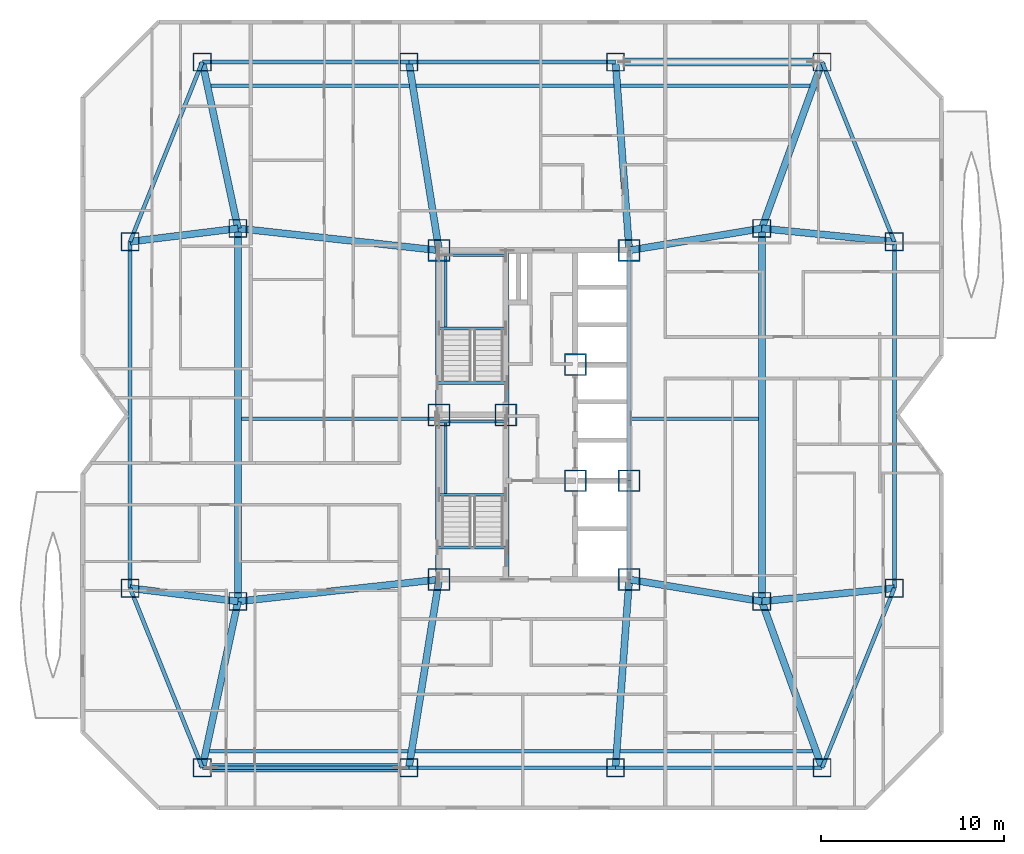
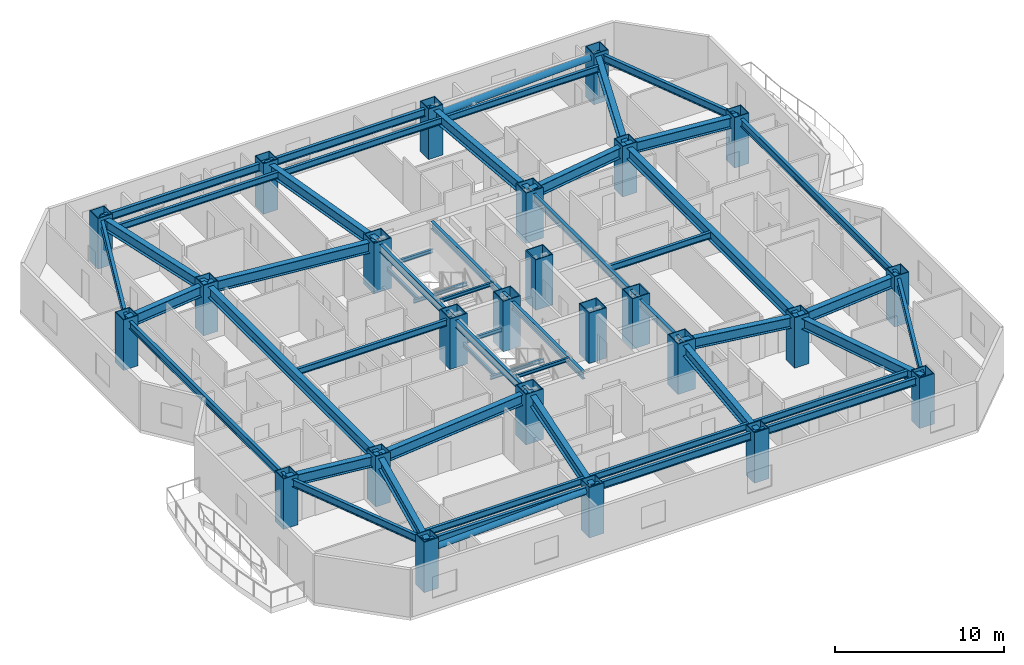
# One storey, part 1 of 15: 51 beams, 25 columns, 2 members.
"""IFC4 building model written with IfcOpenShell, lengths in metres."""

from ifc_helpers import new_model, si_unit, direction, frame, origin, origin_2d, place, context, subcontext, project, spatial, hollow_rectangle, hollow_circle, i_section, extrude, material, material_profile, profile_set, type_object, element, save


model = new_model("IFC4")

# Units and contexts
model_context = context("Model", 3, precision=1e-05, world=origin(), true_north=direction((0.0, 1.0)))
body_context = subcontext(model_context, "Body", "Model", "MODEL_VIEW")
ifc_project = project(units=[si_unit("LENGTHUNIT", "METRE"), si_unit("AREAUNIT", "SQUARE_METRE"), si_unit("VOLUMEUNIT", "CUBIC_METRE"), si_unit("PLANEANGLEUNIT", "RADIAN"), si_unit("MASSUNIT", "GRAM", prefix="KILO")], contexts=[model_context])

# Site, building, storey
site_placement = place(None, origin())
site = spatial("IfcSite", under=ifc_project, at=site_placement, CompositionType="ELEMENT")
building_placement = place(site_placement, origin())
building = spatial("IfcBuilding", under=site, at=building_placement, Name="Khamvora Tower", CompositionType="ELEMENT")
storey_placement = place(building_placement, frame((0.0, 0.0, 112.85009765625)))
storey = spatial("IfcBuildingStorey", under=building, at=storey_placement, Name="L28", CompositionType="ELEMENT", Elevation=112.85009765625)

# Columns
ifc_material_1 = material(Name="Steel S355", Category="steel")
ifc_material_profile_1 = material_profile(ifc_material_1, hollow_rectangle(XDim=1.0, YDim=1.0, WallThickness=0.050048828125, at=origin_2d()), Name="BOX1000x1000x50")
ifc_profile_set_1 = profile_set([ifc_material_profile_1], Name="Steel S355")
column_type_1 = type_object("IfcColumnType", Name="COL-BOX1000", PredefinedType="COLUMN", material=ifc_profile_set_1)
for number, where, z_axis, x_axis, name in (
    (1, (16.050048828125, 8.699951171875, 0.0), (0.0, 0.0, 1.0), (1.0, 0.0, 0.0), "L28 structural frame column S1"),
    (2, (27.35009765625, 8.699951171875, 0.0), (0.0, 0.0, 1.0), (1.0, 0.0, 0.0), "L28 structural frame column S2"),
    (3, (38.64990234375, 8.699951171875, 0.0), (0.0, 0.0, 1.0), (1.0, 0.0, 0.0), "L28 structural frame column S3"),
    (4, (49.949951171875, 8.699951171875, 0.0), (0.0, 0.0, 1.0), (1.0, 0.0, 0.0), "L28 structural frame column S4"),
    (5, (16.050048828125, 47.300048828125, 0.0), (0.0, 0.0, 1.0), (1.0, 0.0, 0.0), "L28 structural frame column N1"),
    (6, (27.35009765625, 47.300048828125, 0.0), (0.0, 0.0, 1.0), (1.0, 0.0, 0.0), "L28 structural frame column N2"),
    (7, (38.64990234375, 47.300048828125, 0.0), (0.0, 0.0, 1.0), (1.0, 0.0, 0.0), "L28 structural frame column N3"),
    (8, (49.949951171875, 47.300048828125, 0.0), (0.0, 0.0, 1.0), (1.0, 0.0, 0.0), "L28 structural frame column N4"),
    (9, (12.10009765625, 18.52490234375, 0.0), (0.0, 0.0, 1.0), (1.0, 0.0, 0.0), "L28 structural frame column W1"),
    (10, (12.10009765625, 37.47509765625, 0.0), (0.0, 0.0, 1.0), (1.0, 0.0, 0.0), "L28 structural frame column W2"),
    (11, (53.89990234375, 18.52490234375, 0.0), (0.0, 0.0, 1.0), (1.0, 0.0, 0.0), "L28 structural frame column E1"),
    (12, (53.89990234375, 37.47509765625, 0.0), (0.0, 0.0, 1.0), (1.0, 0.0, 0.0), "L28 structural frame column E2"),
    (13, (18.0, 17.800048828125, 0.0), (0.0, 0.0, 1.0), (1.0, 0.0, 0.0), "L28 structural frame column MW1"),
    (14, (18.0, 38.199951171875, 0.0), (0.0, 0.0, 1.0), (1.0, 0.0, 0.0), "L28 structural frame column MW2"),
    (15, (46.64990234375, 17.800048828125, 0.0), (0.0, 0.0, 1.0), (1.0, 0.0, 0.0), "L28 structural frame column M1"),
    (16, (46.64990234375, 38.199951171875, 0.0), (0.0, 0.0, 1.0), (1.0, 0.0, 0.0), "L28 structural frame column M2"),
):
    element("IfcColumn", number, at=place(storey_placement, frame(where, z_axis=z_axis, x_axis=x_axis)), inside=storey, type_object=column_type_1, Name=name, PredefinedType="COLUMN", context=body_context, shape_type="SweptSolid", body=[
        extrude(hollow_rectangle(XDim=1.0, YDim=1.0, WallThickness=0.050048828125, at=origin_2d()), origin(), (0.0, 0.0, 1.0), 3.64990234375),
    ])
ifc_material_2 = material(Name="Steel S460", Category="steel")
ifc_material_profile_2 = material_profile(ifc_material_2, hollow_rectangle(XDim=1.199951171875, YDim=1.199951171875, WallThickness=0.06005859375, at=origin_2d()), Name="BOX1200x1200x60")
ifc_profile_set_2 = profile_set([ifc_material_profile_2], Name="Steel S460")
column_type_2 = type_object("IfcColumnType", Name="COL-BOX1200", PredefinedType="COLUMN", material=ifc_profile_set_2)
for number, where, z_axis, x_axis, name in (
    (17, (29.0, 19.0, 0.0), (0.0, 0.0, 1.0), (1.0, 0.0, 0.0), "L28 plumb core spine column SC1"),
    (18, (32.64990234375, 28.0, 0.0), (0.0, 0.0, 1.0), (1.0, 0.0, 0.0), "L28 plumb core spine column SC2"),
    (19, (39.39990234375, 19.0, 0.0), (0.0, 0.0, 1.0), (1.0, 0.0, 0.0), "L28 plumb core spine column SC3"),
    (20, (29.0, 28.0, 0.0), (0.0, 0.0, 1.0), (1.0, 0.0, 0.0), "L28 plumb core spine column SC4"),
    (21, (36.449951171875, 24.39990234375, 0.0), (0.0, 0.0, 1.0), (1.0, 0.0, 0.0), "L28 plumb core spine column SC5"),
    (22, (39.39990234375, 24.39990234375, 0.0), (0.0, 0.0, 1.0), (1.0, 0.0, 0.0), "L28 plumb core spine column SC6"),
    (23, (29.0, 37.0, 0.0), (0.0, 0.0, 1.0), (1.0, 0.0, 0.0), "L28 plumb core spine column SC7"),
    (24, (36.449951171875, 30.75, 0.0), (0.0, 0.0, 1.0), (1.0, 0.0, 0.0), "L28 plumb core spine column SC8"),
    (25, (39.39990234375, 37.0, 0.0), (0.0, 0.0, 1.0), (1.0, 0.0, 0.0), "L28 plumb core spine column SC9"),
):
    element("IfcColumn", number, at=place(storey_placement, frame(where, z_axis=z_axis, x_axis=x_axis)), inside=storey, type_object=column_type_2, Name=name, PredefinedType="COLUMN", context=body_context, shape_type="SweptSolid", body=[
        extrude(hollow_rectangle(XDim=1.199951171875, YDim=1.199951171875, WallThickness=0.06005859375, at=origin_2d()), origin(), (0.0, 0.0, 1.0), 3.64990234375),
    ])

# Beams
ifc_material_profile_3 = material_profile(ifc_material_1, i_section(OverallWidth=0.19189453125, OverallDepth=0.462890625, WebThickness=0.010986328125, FlangeThickness=0.01806640625, FilletRadius=0.011962890625, at=origin_2d()), Name="W460x89")
ifc_profile_set_3 = profile_set([ifc_material_profile_3], Name="Steel S355")
beam_type_1 = type_object("IfcBeamType", Name="BM-JS-W460x89", PredefinedType="JOIST", material=ifc_profile_set_3)
beam_1_placement = place(storey_placement, frame((16.43310546875, 9.60009765625, 3.198974609375), z_axis=(1.0, 0.0, 0.0), x_axis=(0.0, 1.0, 0.0)))
element("IfcBeam", 26, at=beam_1_placement, inside=storey, type_object=beam_type_1, Name="L28 secondary floor joist 01", PredefinedType="JOIST", context=body_context, shape_type="SweptSolid", body=[
    extrude(i_section(OverallWidth=0.19189453125, OverallDepth=0.462890625, WebThickness=0.010986328125, FlangeThickness=0.01806640625, FilletRadius=0.011962890625, at=origin_2d()), origin(), (0.0, 0.0, 1.0), 10.872802734375),
])
beam_2_placement = place(storey_placement, frame((27.681884765625, 9.60009765625, 3.198974609375), z_axis=(1.0, 0.0, 0.0), x_axis=(0.0, 1.0, 0.0)))
element("IfcBeam", 27, at=beam_2_placement, inside=storey, type_object=beam_type_1, Name="L28 secondary floor joist 02", PredefinedType="JOIST", context=body_context, shape_type="SweptSolid", body=[
    extrude(i_section(OverallWidth=0.19189453125, OverallDepth=0.462890625, WebThickness=0.010986328125, FlangeThickness=0.01806640625, FilletRadius=0.011962890625, at=origin_2d()), origin(), (0.0, 0.0, 1.0), 10.84814453125),
])
beam_3_placement = place(storey_placement, frame((38.902099609375, 9.60009765625, 3.198974609375), z_axis=(1.0, 0.0, 0.0), x_axis=(0.0, 1.0, 0.0)))
element("IfcBeam", 28, at=beam_3_placement, inside=storey, type_object=beam_type_1, Name="L28 secondary floor joist 03", PredefinedType="JOIST", context=body_context, shape_type="SweptSolid", body=[
    extrude(i_section(OverallWidth=0.19189453125, OverallDepth=0.462890625, WebThickness=0.010986328125, FlangeThickness=0.01806640625, FilletRadius=0.011962890625, at=origin_2d()), origin(), (0.0, 0.0, 1.0), 10.52392578125),
])
beam_4_placement = place(storey_placement, frame((18.18603515625, 27.800048828125, 3.198974609375), z_axis=(1.0, 0.0, 0.0), x_axis=(0.0, 1.0, 0.0)))
element("IfcBeam", 29, at=beam_4_placement, inside=storey, type_object=beam_type_1, Name="L28 secondary floor joist 04", PredefinedType="JOIST", context=body_context, shape_type="SweptSolid", body=[
    extrude(i_section(OverallWidth=0.19189453125, OverallDepth=0.462890625, WebThickness=0.010986328125, FlangeThickness=0.01806640625, FilletRadius=0.011962890625, at=origin_2d()), origin(), (0.0, 0.0, 1.0), 10.614013671875),
])
beam_5_placement = place(storey_placement, frame((39.4990234375, 27.800048828125, 3.198974609375), z_axis=(1.0, 0.0, 0.0), x_axis=(0.0, 1.0, 0.0)))
element("IfcBeam", 30, at=beam_5_placement, inside=storey, type_object=beam_type_1, Name="L28 secondary floor joist 05", PredefinedType="JOIST", context=body_context, shape_type="SweptSolid", body=[
    extrude(i_section(OverallWidth=0.19189453125, OverallDepth=0.462890625, WebThickness=0.010986328125, FlangeThickness=0.01806640625, FilletRadius=0.011962890625, at=origin_2d()), origin(), (0.0, 0.0, 1.0), 6.966064453125),
])
beam_6_placement = place(storey_placement, frame((16.51806640625, 46.0, 3.198974609375), z_axis=(1.0, 0.0, 0.0), x_axis=(0.0, 1.0, 0.0)))
element("IfcBeam", 31, at=beam_6_placement, inside=storey, type_object=beam_type_1, Name="L28 secondary floor joist 06", PredefinedType="JOIST", context=body_context, shape_type="SweptSolid", body=[
    extrude(i_section(OverallWidth=0.19189453125, OverallDepth=0.462890625, WebThickness=0.010986328125, FlangeThickness=0.01806640625, FilletRadius=0.011962890625, at=origin_2d()), origin(), (0.0, 0.0, 1.0), 10.85205078125),
])
beam_7_placement = place(storey_placement, frame((27.74609375, 46.0, 3.198974609375), z_axis=(1.0, 0.0, 0.0), x_axis=(0.0, 1.0, 0.0)))
element("IfcBeam", 32, at=beam_7_placement, inside=storey, type_object=beam_type_1, Name="L28 secondary floor joist 07", PredefinedType="JOIST", context=body_context, shape_type="SweptSolid", body=[
    extrude(i_section(OverallWidth=0.19189453125, OverallDepth=0.462890625, WebThickness=0.010986328125, FlangeThickness=0.01806640625, FilletRadius=0.011962890625, at=origin_2d()), origin(), (0.0, 0.0, 1.0), 10.81298828125),
])
beam_8_placement = place(storey_placement, frame((38.930908203125, 46.0, 3.198974609375), z_axis=(1.0, 0.0, 0.0), x_axis=(0.0, 1.0, 0.0)))
element("IfcBeam", 33, at=beam_8_placement, inside=storey, type_object=beam_type_1, Name="L28 secondary floor joist 08", PredefinedType="JOIST", context=body_context, shape_type="SweptSolid", body=[
    extrude(i_section(OverallWidth=0.19189453125, OverallDepth=0.462890625, WebThickness=0.010986328125, FlangeThickness=0.01806640625, FilletRadius=0.011962890625, at=origin_2d()), origin(), (0.0, 0.0, 1.0), 10.35009765625),
])
ifc_material_profile_4 = material_profile(ifc_material_1, i_section(OverallWidth=0.14697265625, OverallDepth=0.261962890625, WebThickness=0.007080078125, FlangeThickness=0.010986328125, FilletRadius=0.008056640625, at=origin_2d()), Name="W250x39")
ifc_profile_set_4 = profile_set([ifc_material_profile_4], Name="Steel S355")
beam_type_2 = type_object("IfcBeamType", Name="BM-LN-W250x39", PredefinedType="LINTEL", material=ifc_profile_set_4)
for number, where, z_axis, x_axis, name in (
    (34, (29.0, 23.635009765625, 1.493896484375), (1.0, 0.0, 0.0), (0.0, 1.0, 0.0), "L28 ST-01 half-landing support beam 1.1"),
    (35, (29.0, 27.6298828125, 1.493896484375), (1.0, 0.0, 0.0), (0.0, 1.0, 0.0), "L28 ST-01 half-landing support beam 1.2"),
):
    element("IfcBeam", number, at=place(storey_placement, frame(where, z_axis=z_axis, x_axis=x_axis)), inside=storey, type_object=beam_type_2, Name=name, PredefinedType="LINTEL", context=body_context, shape_type="SweptSolid", body=[
        extrude(i_section(OverallWidth=0.14697265625, OverallDepth=0.261962890625, WebThickness=0.007080078125, FlangeThickness=0.010986328125, FilletRadius=0.008056640625, at=origin_2d()), origin(), (0.0, 0.0, 1.0), 3.64990234375),
    ])
beam_9_placement = place(storey_placement, frame((29.35009765625, 23.635009765625, 1.493896484375), z_axis=(0.0, 1.0, 0.0), x_axis=(-1.0, 0.0, 0.0)))
element("IfcBeam", 36, at=beam_9_placement, inside=storey, type_object=beam_type_2, Name="L28 ST-01 half-landing edge stringer 1", PredefinedType="LINTEL", context=body_context, shape_type="SweptSolid", body=[
    extrude(i_section(OverallWidth=0.14697265625, OverallDepth=0.261962890625, WebThickness=0.007080078125, FlangeThickness=0.010986328125, FilletRadius=0.008056640625, at=origin_2d()), origin(), (0.0, 0.0, 1.0), 3.994873046875),
])
for number, where, z_axis, x_axis, name in (
    (37, (29.0, 32.735107421875, 1.493896484375), (1.0, 0.0, 0.0), (0.0, 1.0, 0.0), "L28 ST-02 half-landing support beam 1.1"),
    (38, (29.0, 36.72998046875, 1.493896484375), (1.0, 0.0, 0.0), (0.0, 1.0, 0.0), "L28 ST-02 half-landing support beam 1.2"),
):
    element("IfcBeam", number, at=place(storey_placement, frame(where, z_axis=z_axis, x_axis=x_axis)), inside=storey, type_object=beam_type_2, Name=name, PredefinedType="LINTEL", context=body_context, shape_type="SweptSolid", body=[
        extrude(i_section(OverallWidth=0.14697265625, OverallDepth=0.261962890625, WebThickness=0.007080078125, FlangeThickness=0.010986328125, FilletRadius=0.008056640625, at=origin_2d()), origin(), (0.0, 0.0, 1.0), 3.64990234375),
    ])
beam_10_placement = place(storey_placement, frame((29.35009765625, 32.735107421875, 1.493896484375), z_axis=(0.0, 1.0, 0.0), x_axis=(-1.0, 0.0, 0.0)))
element("IfcBeam", 39, at=beam_10_placement, inside=storey, type_object=beam_type_2, Name="L28 ST-02 half-landing edge stringer 1", PredefinedType="LINTEL", context=body_context, shape_type="SweptSolid", body=[
    extrude(i_section(OverallWidth=0.14697265625, OverallDepth=0.261962890625, WebThickness=0.007080078125, FlangeThickness=0.010986328125, FilletRadius=0.008056640625, at=origin_2d()), origin(), (0.0, 0.0, 1.0), 3.994873046875),
])
for number, where, z_axis, x_axis, name in (
    (40, (28.89990234375, 20.75, 3.303955078125), (1.0, 0.0, 0.0), (0.0, 1.0, 0.0), "L28 exit stair ST-01 landing trimmer beam"),
    (41, (28.89990234375, 29.75, 3.303955078125), (1.0, 0.0, 0.0), (0.0, 1.0, 0.0), "L28 exit stair ST-02 landing trimmer beam"),
):
    element("IfcBeam", number, at=place(storey_placement, frame(where, z_axis=z_axis, x_axis=x_axis)), inside=storey, type_object=beam_type_2, Name=name, PredefinedType="LINTEL", context=body_context, shape_type="SweptSolid", body=[
        extrude(i_section(OverallWidth=0.14697265625, OverallDepth=0.261962890625, WebThickness=0.007080078125, FlangeThickness=0.010986328125, FilletRadius=0.008056640625, at=origin_2d()), origin(), (0.0, 0.0, 1.0), 3.830078125),
    ])
ifc_material_profile_5 = material_profile(ifc_material_1, i_section(OverallWidth=0.381103515625, OverallDepth=0.77294921875, WebThickness=0.01708984375, FlangeThickness=0.027099609375, FilletRadius=0.01806640625, at=origin_2d()), Name="W760x257")
ifc_profile_set_5 = profile_set([ifc_material_profile_5], Name="Steel S355")
beam_type_3 = type_object("IfcBeamType", Name="BM-PG-W760x257", PredefinedType="BEAM", material=ifc_profile_set_5)
for number, where, z_axis, x_axis, name in (
    (42, (46.64990234375, 17.800048828125, 3.0439453125), (0.0, 1.0, 0.0), (-1.0, 0.0, 0.0), "L28 longitudinal frame girder M1-M2"),
    (43, (18.0, 17.800048828125, 3.0439453125), (0.0, 1.0, 0.0), (-1.0, 0.0, 0.0), "L28 longitudinal frame girder MW1-MW2"),
):
    element("IfcBeam", number, at=place(storey_placement, frame(where, z_axis=z_axis, x_axis=x_axis)), inside=storey, type_object=beam_type_3, Name=name, PredefinedType="BEAM", context=body_context, shape_type="SweptSolid", body=[
        extrude(i_section(OverallWidth=0.381103515625, OverallDepth=0.77294921875, WebThickness=0.01708984375, FlangeThickness=0.027099609375, FilletRadius=0.01806640625, at=origin_2d()), origin(), (0.0, 0.0, 1.0), 20.39990234375),
    ])
beam_11_placement = place(storey_placement, frame((18.0, 17.800048828125, 3.0439453125), z_axis=(-0.209521922673, -0.977803949634, 0.0), x_axis=(0.977803949634, -0.209521922673, 0.0)))
element("IfcBeam", 44, at=beam_11_placement, inside=storey, type_object=beam_type_3, Name="L28 primary floor girder S1", PredefinedType="BEAM", context=body_context, shape_type="SweptSolid", body=[
    extrude(i_section(OverallWidth=0.381103515625, OverallDepth=0.77294921875, WebThickness=0.01708984375, FlangeThickness=0.027099609375, FilletRadius=0.01806640625, at=origin_2d()), origin(), (0.0, 0.0, 1.0), 9.306640625),
])
beam_12_placement = place(storey_placement, frame((29.0, 19.0, 3.0439453125), z_axis=(-0.158167584066, -0.987412282358, 0.0), x_axis=(0.987412282358, -0.158167584066, 0.0)))
element("IfcBeam", 45, at=beam_12_placement, inside=storey, type_object=beam_type_3, Name="L28 primary floor girder S2", PredefinedType="BEAM", context=body_context, shape_type="SweptSolid", body=[
    extrude(i_section(OverallWidth=0.381103515625, OverallDepth=0.77294921875, WebThickness=0.01708984375, FlangeThickness=0.027099609375, FilletRadius=0.01806640625, at=origin_2d()), origin(), (0.0, 0.0, 1.0), 10.431396484375),
])
beam_13_placement = place(storey_placement, frame((39.39990234375, 19.0, 3.0439453125), z_axis=(-0.07262291808, -0.997359469685, 0.0), x_axis=(0.997359469685, -0.07262291808, 0.0)))
element("IfcBeam", 46, at=beam_13_placement, inside=storey, type_object=beam_type_3, Name="L28 primary floor girder S3", PredefinedType="BEAM", context=body_context, shape_type="SweptSolid", body=[
    extrude(i_section(OverallWidth=0.381103515625, OverallDepth=0.77294921875, WebThickness=0.01708984375, FlangeThickness=0.027099609375, FilletRadius=0.01806640625, at=origin_2d()), origin(), (0.0, 0.0, 1.0), 10.327392578125),
])
beam_14_placement = place(storey_placement, frame((46.64990234375, 17.800048828125, 3.0439453125), z_axis=(0.340914681567, -0.940094239899, 0.0), x_axis=(0.940094239899, 0.340914681567, 0.0)))
element("IfcBeam", 47, at=beam_14_placement, inside=storey, type_object=beam_type_3, Name="L28 primary floor girder S4", PredefinedType="BEAM", context=body_context, shape_type="SweptSolid", body=[
    extrude(i_section(OverallWidth=0.381103515625, OverallDepth=0.77294921875, WebThickness=0.01708984375, FlangeThickness=0.027099609375, FilletRadius=0.01806640625, at=origin_2d()), origin(), (0.0, 0.0, 1.0), 9.679931640625),
])
beam_15_placement = place(storey_placement, frame((18.0, 38.199951171875, 3.0439453125), z_axis=(-0.209521922673, 0.977803949634, 0.0), x_axis=(-0.977803949634, -0.209521922673, 0.0)))
element("IfcBeam", 48, at=beam_15_placement, inside=storey, type_object=beam_type_3, Name="L28 primary floor girder N1", PredefinedType="BEAM", context=body_context, shape_type="SweptSolid", body=[
    extrude(i_section(OverallWidth=0.381103515625, OverallDepth=0.77294921875, WebThickness=0.01708984375, FlangeThickness=0.027099609375, FilletRadius=0.01806640625, at=origin_2d()), origin(), (0.0, 0.0, 1.0), 9.306640625),
])
beam_16_placement = place(storey_placement, frame((29.0, 37.0, 3.0439453125), z_axis=(-0.158167584066, 0.987412282358, 0.0), x_axis=(-0.987412282358, -0.158167584066, 0.0)))
element("IfcBeam", 49, at=beam_16_placement, inside=storey, type_object=beam_type_3, Name="L28 primary floor girder N2", PredefinedType="BEAM", context=body_context, shape_type="SweptSolid", body=[
    extrude(i_section(OverallWidth=0.381103515625, OverallDepth=0.77294921875, WebThickness=0.01708984375, FlangeThickness=0.027099609375, FilletRadius=0.01806640625, at=origin_2d()), origin(), (0.0, 0.0, 1.0), 10.431396484375),
])
beam_17_placement = place(storey_placement, frame((39.39990234375, 37.0, 3.0439453125), z_axis=(-0.07262291808, 0.997359469685, 0.0), x_axis=(-0.997359469685, -0.07262291808, 0.0)))
element("IfcBeam", 50, at=beam_17_placement, inside=storey, type_object=beam_type_3, Name="L28 primary floor girder N3", PredefinedType="BEAM", context=body_context, shape_type="SweptSolid", body=[
    extrude(i_section(OverallWidth=0.381103515625, OverallDepth=0.77294921875, WebThickness=0.01708984375, FlangeThickness=0.027099609375, FilletRadius=0.01806640625, at=origin_2d()), origin(), (0.0, 0.0, 1.0), 10.327392578125),
])
beam_18_placement = place(storey_placement, frame((46.64990234375, 38.199951171875, 3.0439453125), z_axis=(0.340914681567, 0.940094239899, 0.0), x_axis=(-0.940094239899, 0.340914681567, 0.0)))
element("IfcBeam", 51, at=beam_18_placement, inside=storey, type_object=beam_type_3, Name="L28 primary floor girder N4", PredefinedType="BEAM", context=body_context, shape_type="SweptSolid", body=[
    extrude(i_section(OverallWidth=0.381103515625, OverallDepth=0.77294921875, WebThickness=0.01708984375, FlangeThickness=0.027099609375, FilletRadius=0.01806640625, at=origin_2d()), origin(), (0.0, 0.0, 1.0), 9.679931640625),
])
for number, where, z_axis, x_axis, name in (
    (52, (18.0, 17.800048828125, 3.0439453125), (-0.992537264608, 0.12194170068, 0.0), (-0.12194170068, -0.992537264608, 0.0), "L28 primary floor girder W1"),
    (53, (18.0, 38.199951171875, 3.0439453125), (-0.992537264608, -0.12194170068, 0.0), (0.12194170068, -0.992537264608, 0.0), "L28 primary floor girder W2"),
):
    element("IfcBeam", number, at=place(storey_placement, frame(where, z_axis=z_axis, x_axis=x_axis)), inside=storey, type_object=beam_type_3, Name=name, PredefinedType="BEAM", context=body_context, shape_type="SweptSolid", body=[
        extrude(i_section(OverallWidth=0.381103515625, OverallDepth=0.77294921875, WebThickness=0.01708984375, FlangeThickness=0.027099609375, FilletRadius=0.01806640625, at=origin_2d()), origin(), (0.0, 0.0, 1.0), 5.9443359375),
    ])
for number, where, z_axis, x_axis, name in (
    (54, (46.64990234375, 17.800048828125, 3.0439453125), (0.995039180556, 0.099483813546, 0.0), (-0.099483813546, 0.995039180556, 0.0), "L28 primary floor girder E1"),
    (55, (46.64990234375, 38.199951171875, 3.0439453125), (0.995039180556, -0.099483813546, 0.0), (0.099483813546, 0.995039180556, 0.0), "L28 primary floor girder E2"),
):
    element("IfcBeam", number, at=place(storey_placement, frame(where, z_axis=z_axis, x_axis=x_axis)), inside=storey, type_object=beam_type_3, Name=name, PredefinedType="BEAM", context=body_context, shape_type="SweptSolid", body=[
        extrude(i_section(OverallWidth=0.381103515625, OverallDepth=0.77294921875, WebThickness=0.01708984375, FlangeThickness=0.027099609375, FilletRadius=0.01806640625, at=origin_2d()), origin(), (0.0, 0.0, 1.0), 7.2861328125),
    ])
for number, where, z_axis, x_axis, name in (
    (56, (29.0, 19.0, 3.0439453125), (-0.994102652327, -0.108443149329, 0.0), (0.108443149329, -0.994102652327, 0.0), "L28 primary floor girder MW1"),
    (57, (29.0, 37.0, 3.0439453125), (-0.994102652327, 0.108443149329, 0.0), (-0.108443149329, -0.994102652327, 0.0), "L28 primary floor girder MW2"),
):
    element("IfcBeam", number, at=place(storey_placement, frame(where, z_axis=z_axis, x_axis=x_axis)), inside=storey, type_object=beam_type_3, Name=name, PredefinedType="BEAM", context=body_context, shape_type="SweptSolid", body=[
        extrude(i_section(OverallWidth=0.381103515625, OverallDepth=0.77294921875, WebThickness=0.01708984375, FlangeThickness=0.027099609375, FilletRadius=0.01806640625, at=origin_2d()), origin(), (0.0, 0.0, 1.0), 11.065185546875),
    ])
for number, where, z_axis, x_axis, name in (
    (58, (39.39990234375, 19.0, 3.0439453125), (0.986578268552, -0.163289068896, 0.0), (0.163289068896, 0.986578268552, 0.0), "L28 primary floor girder M1"),
    (59, (39.39990234375, 37.0, 3.0439453125), (0.986578268552, 0.163289068896, 0.0), (-0.163289068896, 0.986578268552, 0.0), "L28 primary floor girder M2"),
):
    element("IfcBeam", number, at=place(storey_placement, frame(where, z_axis=z_axis, x_axis=x_axis)), inside=storey, type_object=beam_type_3, Name=name, PredefinedType="BEAM", context=body_context, shape_type="SweptSolid", body=[
        extrude(i_section(OverallWidth=0.381103515625, OverallDepth=0.77294921875, WebThickness=0.01708984375, FlangeThickness=0.027099609375, FilletRadius=0.01806640625, at=origin_2d()), origin(), (0.0, 0.0, 1.0), 7.3486328125),
    ])
ifc_material_profile_6 = material_profile(ifc_material_1, i_section(OverallWidth=0.2119140625, OverallDepth=0.5439453125, WebThickness=0.012939453125, FlangeThickness=0.02099609375, FilletRadius=0.013916015625, at=origin_2d()), Name="W530x123")
ifc_profile_set_6 = profile_set([ifc_material_profile_6], Name="Steel S355")
beam_type_4 = type_object("IfcBeamType", Name="BM-SP-W530x123", PredefinedType="SPANDREL", material=ifc_profile_set_6)
beam_19_placement = place(storey_placement, frame((12.10009765625, 18.52490234375, 3.157958984375), z_axis=(0.373015921536, -0.927824941614, 0.0), x_axis=(0.927824941614, 0.373015921536, 0.0)))
element("IfcBeam", 60, at=beam_19_placement, inside=storey, type_object=beam_type_4, Name="L28 perimeter spandrel beam W1-S1", PredefinedType="SPANDREL", context=body_context, shape_type="SweptSolid", body=[
    extrude(i_section(OverallWidth=0.2119140625, OverallDepth=0.5439453125, WebThickness=0.012939453125, FlangeThickness=0.02099609375, FilletRadius=0.013916015625, at=origin_2d()), origin(), (0.0, 0.0, 1.0), 10.589111328125),
])
beam_20_placement = place(storey_placement, frame((16.050048828125, 8.699951171875, 3.157958984375), z_axis=(1.0, 0.0, 0.0), x_axis=(0.0, 1.0, 0.0)))
element("IfcBeam", 61, at=beam_20_placement, inside=storey, type_object=beam_type_4, Name="L28 perimeter spandrel beam S1-S2", PredefinedType="SPANDREL", context=body_context, shape_type="SweptSolid", body=[
    extrude(i_section(OverallWidth=0.2119140625, OverallDepth=0.5439453125, WebThickness=0.012939453125, FlangeThickness=0.02099609375, FilletRadius=0.013916015625, at=origin_2d()), origin(), (0.0, 0.0, 1.0), 11.300048828125),
])
beam_21_placement = place(storey_placement, frame((27.35009765625, 8.699951171875, 3.157958984375), z_axis=(1.0, 0.0, 0.0), x_axis=(0.0, 1.0, 0.0)))
element("IfcBeam", 62, at=beam_21_placement, inside=storey, type_object=beam_type_4, Name="L28 perimeter spandrel beam S2-S3", PredefinedType="SPANDREL", context=body_context, shape_type="SweptSolid", body=[
    extrude(i_section(OverallWidth=0.2119140625, OverallDepth=0.5439453125, WebThickness=0.012939453125, FlangeThickness=0.02099609375, FilletRadius=0.013916015625, at=origin_2d()), origin(), (0.0, 0.0, 1.0), 11.2998046875),
])
beam_22_placement = place(storey_placement, frame((38.64990234375, 8.699951171875, 3.157958984375), z_axis=(1.0, 0.0, 0.0), x_axis=(0.0, 1.0, 0.0)))
element("IfcBeam", 63, at=beam_22_placement, inside=storey, type_object=beam_type_4, Name="L28 perimeter spandrel beam S3-S4", PredefinedType="SPANDREL", context=body_context, shape_type="SweptSolid", body=[
    extrude(i_section(OverallWidth=0.2119140625, OverallDepth=0.5439453125, WebThickness=0.012939453125, FlangeThickness=0.02099609375, FilletRadius=0.013916015625, at=origin_2d()), origin(), (0.0, 0.0, 1.0), 11.300048828125),
])
beam_23_placement = place(storey_placement, frame((49.949951171875, 8.699951171875, 3.157958984375), z_axis=(0.373015921536, 0.927824941614, 0.0), x_axis=(-0.927824941614, 0.373015921536, 0.0)))
element("IfcBeam", 64, at=beam_23_placement, inside=storey, type_object=beam_type_4, Name="L28 perimeter spandrel beam S4-E1", PredefinedType="SPANDREL", context=body_context, shape_type="SweptSolid", body=[
    extrude(i_section(OverallWidth=0.2119140625, OverallDepth=0.5439453125, WebThickness=0.012939453125, FlangeThickness=0.02099609375, FilletRadius=0.013916015625, at=origin_2d()), origin(), (0.0, 0.0, 1.0), 10.589111328125),
])
beam_24_placement = place(storey_placement, frame((53.89990234375, 18.52490234375, 3.157958984375), z_axis=(0.0, 1.0, 0.0), x_axis=(-1.0, 0.0, 0.0)))
element("IfcBeam", 65, at=beam_24_placement, inside=storey, type_object=beam_type_4, Name="L28 perimeter spandrel beam E1-E2", PredefinedType="SPANDREL", context=body_context, shape_type="SweptSolid", body=[
    extrude(i_section(OverallWidth=0.2119140625, OverallDepth=0.5439453125, WebThickness=0.012939453125, FlangeThickness=0.02099609375, FilletRadius=0.013916015625, at=origin_2d()), origin(), (0.0, 0.0, 1.0), 18.9501953125),
])
beam_25_placement = place(storey_placement, frame((53.89990234375, 37.47509765625, 3.157958984375), z_axis=(-0.373015921536, 0.927824941614, 0.0), x_axis=(-0.927824941614, -0.373015921536, 0.0)))
element("IfcBeam", 66, at=beam_25_placement, inside=storey, type_object=beam_type_4, Name="L28 perimeter spandrel beam E2-N4", PredefinedType="SPANDREL", context=body_context, shape_type="SweptSolid", body=[
    extrude(i_section(OverallWidth=0.2119140625, OverallDepth=0.5439453125, WebThickness=0.012939453125, FlangeThickness=0.02099609375, FilletRadius=0.013916015625, at=origin_2d()), origin(), (0.0, 0.0, 1.0), 10.589111328125),
])
beam_26_placement = place(storey_placement, frame((38.64990234375, 47.300048828125, 3.157958984375), z_axis=(-1.0, 0.0, 0.0), x_axis=(0.0, -1.0, 0.0)))
element("IfcBeam", 67, at=beam_26_placement, inside=storey, type_object=beam_type_4, Name="L28 perimeter spandrel beam N3-N2", PredefinedType="SPANDREL", context=body_context, shape_type="SweptSolid", body=[
    extrude(i_section(OverallWidth=0.2119140625, OverallDepth=0.5439453125, WebThickness=0.012939453125, FlangeThickness=0.02099609375, FilletRadius=0.013916015625, at=origin_2d()), origin(), (0.0, 0.0, 1.0), 11.2998046875),
])
beam_27_placement = place(storey_placement, frame((27.35009765625, 47.300048828125, 3.157958984375), z_axis=(-1.0, 0.0, 0.0), x_axis=(0.0, -1.0, 0.0)))
element("IfcBeam", 68, at=beam_27_placement, inside=storey, type_object=beam_type_4, Name="L28 perimeter spandrel beam N2-N1", PredefinedType="SPANDREL", context=body_context, shape_type="SweptSolid", body=[
    extrude(i_section(OverallWidth=0.2119140625, OverallDepth=0.5439453125, WebThickness=0.012939453125, FlangeThickness=0.02099609375, FilletRadius=0.013916015625, at=origin_2d()), origin(), (0.0, 0.0, 1.0), 11.300048828125),
])
beam_28_placement = place(storey_placement, frame((16.050048828125, 47.300048828125, 3.157958984375), z_axis=(-0.373015921536, -0.927824941614, 0.0), x_axis=(0.927824941614, -0.373015921536, 0.0)))
element("IfcBeam", 69, at=beam_28_placement, inside=storey, type_object=beam_type_4, Name="L28 perimeter spandrel beam N1-W2", PredefinedType="SPANDREL", context=body_context, shape_type="SweptSolid", body=[
    extrude(i_section(OverallWidth=0.2119140625, OverallDepth=0.5439453125, WebThickness=0.012939453125, FlangeThickness=0.02099609375, FilletRadius=0.013916015625, at=origin_2d()), origin(), (0.0, 0.0, 1.0), 10.589111328125),
])
beam_29_placement = place(storey_placement, frame((12.10009765625, 37.47509765625, 3.157958984375), z_axis=(0.0, -1.0, 0.0), x_axis=(1.0, 0.0, 0.0)))
element("IfcBeam", 70, at=beam_29_placement, inside=storey, type_object=beam_type_4, Name="L28 perimeter spandrel beam W2-W1", PredefinedType="SPANDREL", context=body_context, shape_type="SweptSolid", body=[
    extrude(i_section(OverallWidth=0.2119140625, OverallDepth=0.5439453125, WebThickness=0.012939453125, FlangeThickness=0.02099609375, FilletRadius=0.013916015625, at=origin_2d()), origin(), (0.0, 0.0, 1.0), 18.9501953125),
])
ifc_material_profile_7 = material_profile(ifc_material_1, i_section(OverallWidth=0.208984375, OverallDepth=0.532958984375, WebThickness=0.010009765625, FlangeThickness=0.01611328125, FilletRadius=0.013916015625, at=origin_2d()), Name="W530x92")
ifc_profile_set_7 = profile_set([ifc_material_profile_7], Name="Steel S355")
beam_type_5 = type_object("IfcBeamType", Name="BM-SP-W530x92", PredefinedType="SPANDREL", material=ifc_profile_set_7)
for number, where, z_axis, x_axis, name in (
    (71, (28.89990234375, 19.0, 3.163818359375), (0.0, 1.0, 0.0), (-1.0, 0.0, 0.0), "L28 core spine girder WS"),
    (72, (28.89990234375, 28.0, 3.163818359375), (0.0, 1.0, 0.0), (-1.0, 0.0, 0.0), "L28 core spine girder WN"),
    (73, (32.72998046875, 19.0, 3.163818359375), (0.0, 1.0, 0.0), (-1.0, 0.0, 0.0), "L28 core spine girder M1S"),
    (74, (32.72998046875, 28.0, 3.163818359375), (0.0, 1.0, 0.0), (-1.0, 0.0, 0.0), "L28 core spine girder M1N"),
):
    element("IfcBeam", number, at=place(storey_placement, frame(where, z_axis=z_axis, x_axis=x_axis)), inside=storey, type_object=beam_type_5, Name=name, PredefinedType="SPANDREL", context=body_context, shape_type="SweptSolid", body=[
        extrude(i_section(OverallWidth=0.208984375, OverallDepth=0.532958984375, WebThickness=0.010009765625, FlangeThickness=0.01611328125, FilletRadius=0.013916015625, at=origin_2d()), origin(), (0.0, 0.0, 1.0), 9.0),
    ])
beam_30_placement = place(storey_placement, frame((39.39990234375, 19.0, 3.163818359375), z_axis=(0.0, 1.0, 0.0), x_axis=(-1.0, 0.0, 0.0)))
element("IfcBeam", 75, at=beam_30_placement, inside=storey, type_object=beam_type_5, Name="L28 core spine girder ES", PredefinedType="SPANDREL", context=body_context, shape_type="SweptSolid", body=[
    extrude(i_section(OverallWidth=0.208984375, OverallDepth=0.532958984375, WebThickness=0.010009765625, FlangeThickness=0.01611328125, FilletRadius=0.013916015625, at=origin_2d()), origin(), (0.0, 0.0, 1.0), 5.39990234375),
])
beam_31_placement = place(storey_placement, frame((39.39990234375, 24.39990234375, 3.163818359375), z_axis=(0.0, 1.0, 0.0), x_axis=(-1.0, 0.0, 0.0)))
element("IfcBeam", 76, at=beam_31_placement, inside=storey, type_object=beam_type_5, Name="L28 core spine girder EN", PredefinedType="SPANDREL", context=body_context, shape_type="SweptSolid", body=[
    extrude(i_section(OverallWidth=0.208984375, OverallDepth=0.532958984375, WebThickness=0.010009765625, FlangeThickness=0.01611328125, FilletRadius=0.013916015625, at=origin_2d()), origin(), (0.0, 0.0, 1.0), 12.60009765625),
])

# Members
ifc_material_profile_8 = material_profile(ifc_material_1, hollow_circle(Radius=0.228515625, WallThickness=0.02001953125, at=origin_2d()), Name="CHS457x20")
ifc_profile_set_8 = profile_set([ifc_material_profile_8], Name="Steel S355")
member_type = type_object("IfcMemberType", Name="MEM-BR-CHS457", PredefinedType="BRACE", material=ifc_profile_set_8)
for number, where, z_axis, x_axis, name in (
    (77, (16.530029296875, 8.699951171875, 2.699951171875), (0.999092084621, 0.0, 0.042602892471), (0.0, 1.0, 0.0), "L28 perimeter wind brace 1"),
    (78, (39.1298828125, 47.300048828125, 2.699951171875), (0.999092084621, 0.0, 0.042602892471), (0.0, 1.0, 0.0), "L28 perimeter wind brace 2"),
):
    element("IfcMember", number, at=place(storey_placement, frame(where, z_axis=z_axis, x_axis=x_axis)), inside=storey, type_object=member_type, Name=name, PredefinedType="BRACE", context=body_context, shape_type="SweptSolid", body=[
        extrude(hollow_circle(Radius=0.228515625, WallThickness=0.02001953125, at=origin_2d()), origin(), (0.0, 0.0, 1.0), 10.349365234375),
    ])

save(model, "model.ifc")
